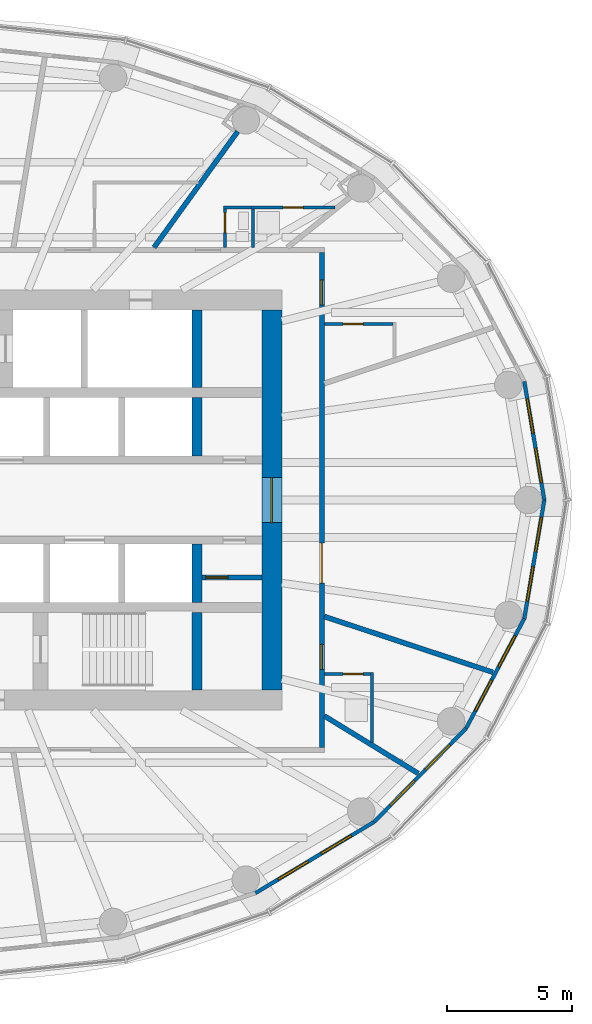
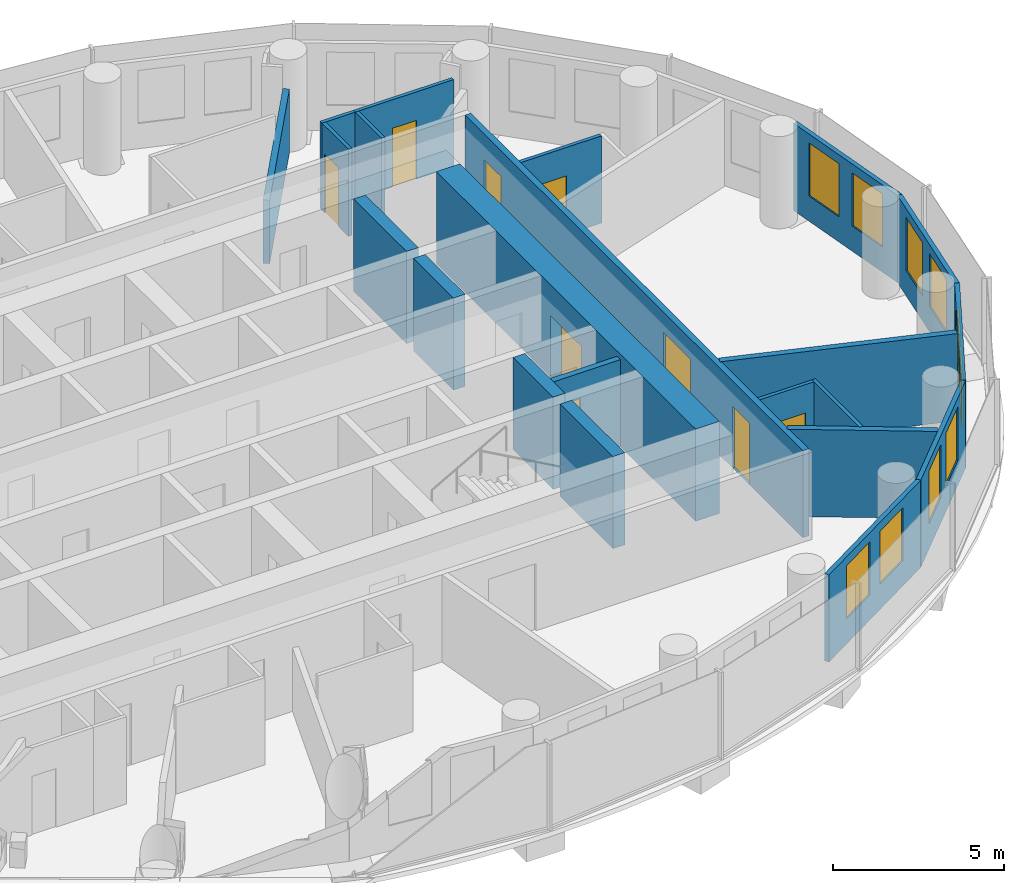
# One storey, part 11 of 16: 22 walls, 10 windows, 9 doors, 19 openings.
"""IFC4 building model written with IfcOpenShell, lengths in metres."""

from ifc_helpers import new_model, si_unit, direction, frame, frame_2d, origin, place, context, subcontext, project, spatial, rectangle, extrude, material, layer, layer_set, type_object, element, fill, save


model = new_model("IFC4")

# Units and contexts
model_context = context("Model", 3, precision=1e-05, world=origin(), true_north=direction((0.0, 1.0)))
body_context = subcontext(model_context, "Body", "Model", "MODEL_VIEW")
ifc_project = project(units=[si_unit("LENGTHUNIT", "METRE"), si_unit("AREAUNIT", "SQUARE_METRE"), si_unit("VOLUMEUNIT", "CUBIC_METRE"), si_unit("PLANEANGLEUNIT", "RADIAN"), si_unit("MASSUNIT", "GRAM", prefix="KILO")], contexts=[model_context])

# Site, building, storey
site_placement = place(None, origin())
site = spatial("IfcSite", under=ifc_project, at=site_placement, CompositionType="ELEMENT")
building_placement = place(site_placement, origin())
building = spatial("IfcBuilding", under=site, at=building_placement, Name="Hankou Lantern Tower", CompositionType="ELEMENT")
storey_placement = place(building_placement, frame((0.0, 0.0, 143.39990234375)))
storey = spatial("IfcBuildingStorey", under=building, at=storey_placement, Name="L37", CompositionType="ELEMENT", Elevation=143.39990234375)

# Wall, opening, door
ifc_material_1 = material(Name="Concrete C60", Category="concrete")
ifc_layer_1 = layer(ifc_material_1, 0.800048828125)
ifc_layer_set_1 = layer_set([ifc_layer_1], Name="Concrete C60")
wall_type_1 = type_object("IfcWallType", Name="CW2 CORE WALL 800", PredefinedType="SHEAR", material=ifc_layer_set_1)
wall_1_placement = place(storey_placement, frame((12.0, -7.60009765625, 0.0), z_axis=(0.0, 0.0, 1.0), x_axis=(0.0, 1.0, 0.0)))
wall_1 = element("IfcWall", 1, at=wall_1_placement, inside=storey, type_object=wall_type_1, Name="Core wall east L37", PredefinedType="SHEAR", context=body_context, shape_type="SweptSolid", body=[
    extrude(rectangle(XDim=15.2001953125, YDim=0.800048828125, at=frame_2d((7.60009765625, 0.0))), origin(), (0.0, 0.0, 1.0), 3.300048828125),
])
opening_1_placement = place(wall_1_placement, frame((6.699951171875, 0.0, 0.0)))
opening_1 = element("IfcOpeningElement", 2, at=opening_1_placement, cuts=wall_1, Name="Opening D6", PredefinedType="OPENING", context=body_context, shape_type="SweptSolid", body=[
    extrude(rectangle(XDim=1.800048828125, YDim=2.199951171875, at=frame_2d((0.89990234375, 1.10009765625))), frame((0.0, 0.409912109375, 0.0), z_axis=(0.0, -1.0, 0.0), x_axis=(1.0, 0.0, 0.0)), (0.0, 0.0, 1.0), 0.820068359375),
])
ifc_material_2 = material(Name="Steel door leaf", Category="steel")
door_type_1 = type_object("IfcDoorType", Name="D6 LIFT LOBBY DOOR 1800X2200", OperationType="DOUBLE_DOOR_DOUBLE_SWING", PredefinedType="DOOR", material=ifc_material_2)
door_1_placement = place(opening_1_placement, origin())
door_1 = element("IfcDoor", 3, at=door_1_placement, inside=storey, type_object=door_type_1, Name="Lift lobby east door", OperationType="DOUBLE_DOOR_DOUBLE_SWING", OverallHeight=2.199951171875, OverallWidth=1.800048828125, PredefinedType="DOOR", context=body_context, shape_type="SweptSolid", body=[
    extrude(rectangle(XDim=1.800048828125, YDim=2.199951171875, at=frame_2d((0.89990234375, 1.10009765625))), frame((0.0, 0.02490234375, 0.0), z_axis=(0.0, -1.0, 0.0), x_axis=(1.0, 0.0, 0.0)), (0.0, 0.0, 1.0), 0.050048828125),
])
fill(opening_1, door_1)

# Walls
ifc_material_3 = material(Name="Concrete C60", Category="concrete")
ifc_layer_2 = layer(ifc_material_3, 0.39990234375)
ifc_layer_set_2 = layer_set([ifc_layer_2], Name="Concrete C60")
wall_type_2 = type_object("IfcWallType", Name="CW4 CORE CROSS WALL 400", PredefinedType="SHEAR", material=ifc_layer_set_2)
wall_2_placement = place(storey_placement, frame((9.0, 4.5, 0.0), z_axis=(0.0, 0.0, 1.0), x_axis=(0.0, 1.0, 0.0)))
element("IfcWall", 4, at=wall_2_placement, inside=storey, type_object=wall_type_2, Name="Core strip wall L37", PredefinedType="SHEAR", context=body_context, shape_type="SweptSolid", body=[
    extrude(rectangle(XDim=3.10009765625, YDim=0.39990234375, at=frame_2d((1.550048828125, 0.0))), origin(), (0.0, 0.0, 1.0), 3.300048828125),
])
for number, where, z_axis, x_axis, name in (
    (5, (9.0, 1.75, 0.0), (0.0, 0.0, 1.0), (0.0, 1.0, 0.0), "Core strip wall L37"),
    (6, (9.0, -4.10009765625, 0.0), (0.0, 0.0, 1.0), (0.0, 1.0, 0.0), "Core strip wall L37"),
):
    element("IfcWall", number, at=place(storey_placement, frame(where, z_axis=z_axis, x_axis=x_axis)), inside=storey, type_object=wall_type_2, Name=name, PredefinedType="SHEAR", context=body_context, shape_type="SweptSolid", body=[
        extrude(rectangle(XDim=2.35009765625, YDim=0.39990234375, at=frame_2d((1.175048828125, 0.0))), origin(), (0.0, 0.0, 1.0), 3.300048828125),
    ])
wall_3_placement = place(storey_placement, frame((9.0, -7.60009765625, 0.0), z_axis=(0.0, 0.0, 1.0), x_axis=(0.0, 1.0, 0.0)))
element("IfcWall", 7, at=wall_3_placement, inside=storey, type_object=wall_type_2, Name="Core strip wall L37", PredefinedType="SHEAR", context=body_context, shape_type="SweptSolid", body=[
    extrude(rectangle(XDim=3.10009765625, YDim=0.39990234375, at=frame_2d((1.550048828125, 0.0))), origin(), (0.0, 0.0, 1.0), 3.300048828125),
])

# Wall, openings, windows
ifc_material_4 = material(Name="Aluminium spandrel panel on steel studs", Category="steel")
ifc_layer_3 = layer(ifc_material_4, 0.14990234375)
ifc_layer_set_3 = layer_set([ifc_layer_3], Name="Aluminium spandrel panel on steel studs")
wall_type_3 = type_object("IfcWallType", Name="EW1 INNER SKIN WALL 150", PredefinedType="ELEMENTEDWALL", material=ifc_layer_set_3)
wall_4_placement = place(storey_placement, frame((22.89990234375, 0.0, 0.0), z_axis=(0.0, 0.0, 1.0), x_axis=(-0.166162111254, 0.986098449843, 0.0)))
wall_4 = element("IfcWall", 8, at=wall_4_placement, inside=storey, type_object=wall_type_3, Name="Inner skin R01-R02 L37", PredefinedType="ELEMENTEDWALL", context=body_context, shape_type="SweptSolid", body=[
    extrude(rectangle(XDim=4.8046875, YDim=0.14990234375, at=frame_2d((2.40234375, 0.0))), origin(), (0.0, 0.0, 1.0), 3.1201171875),
])
opening_2_placement = place(wall_4_placement, frame((0.7021484375, 0.0, 0.89990234375)))
opening_2 = element("IfcOpeningElement", 9, at=opening_2_placement, cuts=wall_4, Name="Opening W3", PredefinedType="OPENING", context=body_context, shape_type="SweptSolid", body=[
    extrude(rectangle(XDim=1.39990234375, YDim=1.89990234375, at=frame_2d((0.699951171875, 0.949951171875))), frame((0.0, 0.0849609375, 0.0), z_axis=(0.0, -1.0, 0.0), x_axis=(1.0, 0.0, 0.0)), (0.0, 0.0, 1.0), 0.169921875),
])
opening_3_placement = place(wall_4_placement, frame((2.7021484375, 0.0, 0.89990234375)))
opening_3 = element("IfcOpeningElement", 10, at=opening_3_placement, cuts=wall_4, Name="Opening W3", PredefinedType="OPENING", context=body_context, shape_type="SweptSolid", body=[
    extrude(rectangle(XDim=1.39990234375, YDim=1.89990234375, at=frame_2d((0.699951171875, 0.949951171875))), frame((0.0, 0.0849609375, 0.0), z_axis=(0.0, -1.0, 0.0), x_axis=(1.0, 0.0, 0.0)), (0.0, 0.0, 1.0), 0.169921875),
])
ifc_material_5 = material(Name="Aluminium framed double glazed window", Category="aluminium")
window_type = type_object("IfcWindowType", Name="W3 GUEST ROOM WINDOW 1400X1900", PartitioningType="DOUBLE_PANEL_VERTICAL", PredefinedType="WINDOW", material=ifc_material_5)
window_1_placement = place(opening_2_placement, origin())
window_1 = element("IfcWindow", 11, at=window_1_placement, inside=storey, type_object=window_type, Name="Window R01.1 L37", OverallHeight=1.89990234375, OverallWidth=1.39990234375, PartitioningType="SINGLE_PANEL", PredefinedType="WINDOW", context=body_context, shape_type="SweptSolid", body=[
    extrude(rectangle(XDim=1.39990234375, YDim=1.89990234375, at=frame_2d((0.699951171875, 0.949951171875))), frame((0.0, 0.030029296875, 0.0), z_axis=(0.0, -1.0, 0.0), x_axis=(1.0, 0.0, 0.0)), (0.0, 0.0, 1.0), 0.06005859375),
])
fill(opening_2, window_1)
window_2_placement = place(opening_3_placement, origin())
window_2 = element("IfcWindow", 12, at=window_2_placement, inside=storey, type_object=window_type, Name="Window R01.2 L37", OverallHeight=1.89990234375, OverallWidth=1.39990234375, PartitioningType="SINGLE_PANEL", PredefinedType="WINDOW", context=body_context, shape_type="SweptSolid", body=[
    extrude(rectangle(XDim=1.39990234375, YDim=1.89990234375, at=frame_2d((0.699951171875, 0.949951171875))), frame((0.0, 0.030029296875, 0.0), z_axis=(0.0, -1.0, 0.0), x_axis=(1.0, 0.0, 0.0)), (0.0, 0.0, 1.0), 0.06005859375),
])
fill(opening_3, window_2)

wall_5_placement = place(storey_placement, frame((11.346435546875, -15.72216796875, 0.0), z_axis=(0.0, 0.0, 1.0), x_axis=(0.857695199231, 0.514158482587, 0.0)))
wall_5 = element("IfcWall", 13, at=wall_5_placement, inside=storey, type_object=wall_type_3, Name="Inner skin R21-R22 L37", PredefinedType="ELEMENTEDWALL", context=body_context, shape_type="SweptSolid", body=[
    extrude(rectangle(XDim=5.5361328125, YDim=0.14990234375, at=frame_2d((2.76806640625, 0.0))), origin(), (0.0, 0.0, 1.0), 3.1201171875),
])
opening_4_placement = place(wall_5_placement, frame((1.068115234375, 0.0, 0.89990234375)))
opening_4 = element("IfcOpeningElement", 14, at=opening_4_placement, cuts=wall_5, Name="Opening W3", PredefinedType="OPENING", context=body_context, shape_type="SweptSolid", body=[
    extrude(rectangle(XDim=1.39990234375, YDim=1.89990234375, at=frame_2d((0.699951171875, 0.949951171875))), frame((0.0, 0.0849609375, 0.0), z_axis=(0.0, -1.0, 0.0), x_axis=(1.0, 0.0, 0.0)), (0.0, 0.0, 1.0), 0.169921875),
])
opening_5_placement = place(wall_5_placement, frame((3.068115234375, 0.0, 0.89990234375)))
opening_5 = element("IfcOpeningElement", 15, at=opening_5_placement, cuts=wall_5, Name="Opening W3", PredefinedType="OPENING", context=body_context, shape_type="SweptSolid", body=[
    extrude(rectangle(XDim=1.39990234375, YDim=1.89990234375, at=frame_2d((0.699951171875, 0.949951171875))), frame((0.0, 0.0849609375, 0.0), z_axis=(0.0, -1.0, 0.0), x_axis=(1.0, 0.0, 0.0)), (0.0, 0.0, 1.0), 0.169921875),
])
window_3_placement = place(opening_4_placement, origin())
window_3 = element("IfcWindow", 16, at=window_3_placement, inside=storey, type_object=window_type, Name="Window R21.1 L37", OverallHeight=1.89990234375, OverallWidth=1.39990234375, PartitioningType="SINGLE_PANEL", PredefinedType="WINDOW", context=body_context, shape_type="SweptSolid", body=[
    extrude(rectangle(XDim=1.39990234375, YDim=1.89990234375, at=frame_2d((0.699951171875, 0.949951171875))), frame((0.0, 0.030029296875, 0.0), z_axis=(0.0, -1.0, 0.0), x_axis=(1.0, 0.0, 0.0)), (0.0, 0.0, 1.0), 0.06005859375),
])
fill(opening_4, window_3)
window_4_placement = place(opening_5_placement, origin())
window_4 = element("IfcWindow", 17, at=window_4_placement, inside=storey, type_object=window_type, Name="Window R21.2 L37", OverallHeight=1.89990234375, OverallWidth=1.39990234375, PartitioningType="SINGLE_PANEL", PredefinedType="WINDOW", context=body_context, shape_type="SweptSolid", body=[
    extrude(rectangle(XDim=1.39990234375, YDim=1.89990234375, at=frame_2d((0.699951171875, 0.949951171875))), frame((0.0, 0.030029296875, 0.0), z_axis=(0.0, -1.0, 0.0), x_axis=(1.0, 0.0, 0.0)), (0.0, 0.0, 1.0), 0.06005859375),
])
fill(opening_5, window_4)

wall_6_placement = place(storey_placement, frame((16.0947265625, -12.875732421875, 0.0), z_axis=(0.0, 0.0, 1.0), x_axis=(0.700727467776, 0.71342905457, 0.0)))
wall_6 = element("IfcWall", 18, at=wall_6_placement, inside=storey, type_object=wall_type_3, Name="Inner skin R22-R23 L37", PredefinedType="ELEMENTEDWALL", context=body_context, shape_type="SweptSolid", body=[
    extrude(rectangle(XDim=5.247314453125, YDim=0.14990234375, at=frame_2d((2.62353515625, 0.0))), origin(), (0.0, 0.0, 1.0), 3.1201171875),
])
opening_6_placement = place(wall_6_placement, frame((0.923583984375, 0.0, 0.89990234375)))
opening_6 = element("IfcOpeningElement", 19, at=opening_6_placement, cuts=wall_6, Name="Opening W3", PredefinedType="OPENING", context=body_context, shape_type="SweptSolid", body=[
    extrude(rectangle(XDim=1.39990234375, YDim=1.89990234375, at=frame_2d((0.699951171875, 0.949951171875))), frame((0.0, 0.0849609375, 0.0), z_axis=(0.0, -1.0, 0.0), x_axis=(1.0, 0.0, 0.0)), (0.0, 0.0, 1.0), 0.169921875),
])
opening_7_placement = place(wall_6_placement, frame((2.923583984375, 0.0, 0.89990234375)))
opening_7 = element("IfcOpeningElement", 20, at=opening_7_placement, cuts=wall_6, Name="Opening W3", PredefinedType="OPENING", context=body_context, shape_type="SweptSolid", body=[
    extrude(rectangle(XDim=1.39990234375, YDim=1.89990234375, at=frame_2d((0.699951171875, 0.949951171875))), frame((0.0, 0.0849609375, 0.0), z_axis=(0.0, -1.0, 0.0), x_axis=(1.0, 0.0, 0.0)), (0.0, 0.0, 1.0), 0.169921875),
])
window_5_placement = place(opening_6_placement, origin())
window_5 = element("IfcWindow", 21, at=window_5_placement, inside=storey, type_object=window_type, Name="Window R22.1 L37", OverallHeight=1.89990234375, OverallWidth=1.39990234375, PartitioningType="SINGLE_PANEL", PredefinedType="WINDOW", context=body_context, shape_type="SweptSolid", body=[
    extrude(rectangle(XDim=1.39990234375, YDim=1.89990234375, at=frame_2d((0.699951171875, 0.949951171875))), frame((0.0, 0.030029296875, 0.0), z_axis=(0.0, -1.0, 0.0), x_axis=(1.0, 0.0, 0.0)), (0.0, 0.0, 1.0), 0.06005859375),
])
fill(opening_6, window_5)
window_6_placement = place(opening_7_placement, origin())
window_6 = element("IfcWindow", 22, at=window_6_placement, inside=storey, type_object=window_type, Name="Window R22.2 L37", OverallHeight=1.89990234375, OverallWidth=1.39990234375, PartitioningType="SINGLE_PANEL", PredefinedType="WINDOW", context=body_context, shape_type="SweptSolid", body=[
    extrude(rectangle(XDim=1.39990234375, YDim=1.89990234375, at=frame_2d((0.699951171875, 0.949951171875))), frame((0.0, 0.030029296875, 0.0), z_axis=(0.0, -1.0, 0.0), x_axis=(1.0, 0.0, 0.0)), (0.0, 0.0, 1.0), 0.06005859375),
])
fill(opening_7, window_6)

wall_7_placement = place(storey_placement, frame((19.771728515625, -9.132080078125, 0.0), z_axis=(0.0, 0.0, 1.0), x_axis=(0.468428906714, 0.883501193748, 0.0)))
wall_7 = element("IfcWall", 23, at=wall_7_placement, inside=storey, type_object=wall_type_3, Name="Inner skin R23-R24 L37", PredefinedType="ELEMENTEDWALL", context=body_context, shape_type="SweptSolid", body=[
    extrude(rectangle(XDim=4.9736328125, YDim=0.14990234375, at=frame_2d((2.48681640625, 0.0))), origin(), (0.0, 0.0, 1.0), 3.1201171875),
])
opening_8_placement = place(wall_7_placement, frame((0.786865234375, 0.0, 0.89990234375)))
opening_8 = element("IfcOpeningElement", 24, at=opening_8_placement, cuts=wall_7, Name="Opening W3", PredefinedType="OPENING", context=body_context, shape_type="SweptSolid", body=[
    extrude(rectangle(XDim=1.39990234375, YDim=1.89990234375, at=frame_2d((0.699951171875, 0.949951171875))), frame((0.0, 0.0849609375, 0.0), z_axis=(0.0, -1.0, 0.0), x_axis=(1.0, 0.0, 0.0)), (0.0, 0.0, 1.0), 0.169921875),
])
opening_9_placement = place(wall_7_placement, frame((2.786865234375, 0.0, 0.89990234375)))
opening_9 = element("IfcOpeningElement", 25, at=opening_9_placement, cuts=wall_7, Name="Opening W3", PredefinedType="OPENING", context=body_context, shape_type="SweptSolid", body=[
    extrude(rectangle(XDim=1.39990234375, YDim=1.89990234375, at=frame_2d((0.699951171875, 0.949951171875))), frame((0.0, 0.0849609375, 0.0), z_axis=(0.0, -1.0, 0.0), x_axis=(1.0, 0.0, 0.0)), (0.0, 0.0, 1.0), 0.169921875),
])
window_7_placement = place(opening_8_placement, origin())
window_7 = element("IfcWindow", 26, at=window_7_placement, inside=storey, type_object=window_type, Name="Window R23.1 L37", OverallHeight=1.89990234375, OverallWidth=1.39990234375, PartitioningType="SINGLE_PANEL", PredefinedType="WINDOW", context=body_context, shape_type="SweptSolid", body=[
    extrude(rectangle(XDim=1.39990234375, YDim=1.89990234375, at=frame_2d((0.699951171875, 0.949951171875))), frame((0.0, 0.030029296875, 0.0), z_axis=(0.0, -1.0, 0.0), x_axis=(1.0, 0.0, 0.0)), (0.0, 0.0, 1.0), 0.06005859375),
])
fill(opening_8, window_7)
window_8_placement = place(opening_9_placement, origin())
window_8 = element("IfcWindow", 27, at=window_8_placement, inside=storey, type_object=window_type, Name="Window R23.2 L37", OverallHeight=1.89990234375, OverallWidth=1.39990234375, PartitioningType="SINGLE_PANEL", PredefinedType="WINDOW", context=body_context, shape_type="SweptSolid", body=[
    extrude(rectangle(XDim=1.39990234375, YDim=1.89990234375, at=frame_2d((0.699951171875, 0.949951171875))), frame((0.0, 0.030029296875, 0.0), z_axis=(0.0, -1.0, 0.0), x_axis=(1.0, 0.0, 0.0)), (0.0, 0.0, 1.0), 0.06005859375),
])
fill(opening_9, window_8)

wall_8_placement = place(storey_placement, frame((22.1015625, -4.73779296875, 0.0), z_axis=(0.0, 0.0, 1.0), x_axis=(0.166162111254, 0.986098449843, 0.0)))
wall_8 = element("IfcWall", 28, at=wall_8_placement, inside=storey, type_object=wall_type_3, Name="Inner skin R24-R01 L37", PredefinedType="ELEMENTEDWALL", context=body_context, shape_type="SweptSolid", body=[
    extrude(rectangle(XDim=4.8046875, YDim=0.14990234375, at=frame_2d((2.40234375, 0.0))), origin(), (0.0, 0.0, 1.0), 3.1201171875),
])
opening_10_placement = place(wall_8_placement, frame((0.7021484375, 0.0, 0.89990234375)))
opening_10 = element("IfcOpeningElement", 29, at=opening_10_placement, cuts=wall_8, Name="Opening W3", PredefinedType="OPENING", context=body_context, shape_type="SweptSolid", body=[
    extrude(rectangle(XDim=1.39990234375, YDim=1.89990234375, at=frame_2d((0.699951171875, 0.949951171875))), frame((0.0, 0.0849609375, 0.0), z_axis=(0.0, -1.0, 0.0), x_axis=(1.0, 0.0, 0.0)), (0.0, 0.0, 1.0), 0.169921875),
])
opening_11_placement = place(wall_8_placement, frame((2.7021484375, 0.0, 0.89990234375)))
opening_11 = element("IfcOpeningElement", 30, at=opening_11_placement, cuts=wall_8, Name="Opening W3", PredefinedType="OPENING", context=body_context, shape_type="SweptSolid", body=[
    extrude(rectangle(XDim=1.39990234375, YDim=1.89990234375, at=frame_2d((0.699951171875, 0.949951171875))), frame((0.0, 0.0849609375, 0.0), z_axis=(0.0, -1.0, 0.0), x_axis=(1.0, 0.0, 0.0)), (0.0, 0.0, 1.0), 0.169921875),
])
window_9_placement = place(opening_10_placement, origin())
window_9 = element("IfcWindow", 31, at=window_9_placement, inside=storey, type_object=window_type, Name="Window R24.1 L37", OverallHeight=1.89990234375, OverallWidth=1.39990234375, PartitioningType="SINGLE_PANEL", PredefinedType="WINDOW", context=body_context, shape_type="SweptSolid", body=[
    extrude(rectangle(XDim=1.39990234375, YDim=1.89990234375, at=frame_2d((0.699951171875, 0.949951171875))), frame((0.0, 0.030029296875, 0.0), z_axis=(0.0, -1.0, 0.0), x_axis=(1.0, 0.0, 0.0)), (0.0, 0.0, 1.0), 0.06005859375),
])
fill(opening_10, window_9)
window_10_placement = place(opening_11_placement, origin())
window_10 = element("IfcWindow", 32, at=window_10_placement, inside=storey, type_object=window_type, Name="Window R24.2 L37", OverallHeight=1.89990234375, OverallWidth=1.39990234375, PartitioningType="SINGLE_PANEL", PredefinedType="WINDOW", context=body_context, shape_type="SweptSolid", body=[
    extrude(rectangle(XDim=1.39990234375, YDim=1.89990234375, at=frame_2d((0.699951171875, 0.949951171875))), frame((0.0, 0.030029296875, 0.0), z_axis=(0.0, -1.0, 0.0), x_axis=(1.0, 0.0, 0.0)), (0.0, 0.0, 1.0), 0.06005859375),
])
fill(opening_11, window_10)

# Wall, openings, doors
ifc_material_6 = material(Name="Masonry lightweight concrete block", Category="masonry")
ifc_layer_4 = layer(ifc_material_6, 0.199951171875)
ifc_layer_set_4 = layer_set([ifc_layer_4], Name="Masonry lightweight concrete block")
wall_type_4 = type_object("IfcWallType", Name="IW2 CORRIDOR WALL 200", PredefinedType="PARTITIONING", material=ifc_layer_set_4)
wall_9_placement = place(storey_placement, frame((14.0, -9.89990234375, 0.0), z_axis=(0.0, 0.0, 1.0), x_axis=(0.0, 1.0, 0.0)))
wall_9 = element("IfcWall", 33, at=wall_9_placement, inside=storey, type_object=wall_type_4, Name="Corridor wall east", PredefinedType="PARTITIONING", context=body_context, shape_type="SweptSolid", body=[
    extrude(rectangle(XDim=19.7998046875, YDim=0.199951171875, at=frame_2d((9.89990234375, 0.0))), origin(), (0.0, 0.0, 1.0), 3.1201171875),
])
opening_12_placement = place(wall_9_placement, frame((3.123779296875, 0.0, 0.0)))
opening_12 = element("IfcOpeningElement", 34, at=opening_12_placement, cuts=wall_9, Name="Opening D13", PredefinedType="OPENING", context=body_context, shape_type="SweptSolid", body=[
    extrude(rectangle(XDim=1.0, YDim=2.199951171875, at=frame_2d((0.5, 1.10009765625))), frame((0.0, 0.10986328125, 0.0), z_axis=(0.0, -1.0, 0.0), x_axis=(1.0, 0.0, 0.0)), (0.0, 0.0, 1.0), 0.219970703125),
])
opening_13_placement = place(wall_9_placement, frame((6.573974609375, 0.0, 0.0)))
opening_13 = element("IfcOpeningElement", 35, at=opening_13_placement, cuts=wall_9, Name="Opening D29", PredefinedType="OPENING", context=body_context, shape_type="SweptSolid", body=[
    extrude(rectangle(XDim=1.60009765625, YDim=2.39990234375, at=frame_2d((0.800048828125, 1.199951171875))), frame((0.0, 0.10986328125, 0.0), z_axis=(0.0, -1.0, 0.0), x_axis=(1.0, 0.0, 0.0)), (0.0, 0.0, 1.0), 0.219970703125),
])
opening_14_placement = place(wall_9_placement, frame((17.701416015625, 0.0, 0.0)))
opening_14 = element("IfcOpeningElement", 36, at=opening_14_placement, cuts=wall_9, Name="Opening D1", PredefinedType="OPENING", context=body_context, shape_type="SweptSolid", body=[
    extrude(rectangle(XDim=1.0, YDim=2.199951171875, at=frame_2d((0.5, 1.10009765625))), frame((0.0, 0.10986328125, 0.0), z_axis=(0.0, -1.0, 0.0), x_axis=(1.0, 0.0, 0.0)), (0.0, 0.0, 1.0), 0.219970703125),
])
ifc_material_7 = material(Name="Steel door leaf", Category="steel")
door_type_2 = type_object("IfcDoorType", Name="D1 GUEST ROOM DOOR 1000X2200", OperationType="SINGLE_SWING_LEFT", PredefinedType="DOOR", material=ifc_material_7)
door_2_placement = place(opening_14_placement, origin())
door_2 = element("IfcDoor", 37, at=door_2_placement, inside=storey, type_object=door_type_2, Name="Guest room door 3711", OperationType="SINGLE_SWING_RIGHT", OverallHeight=2.199951171875, OverallWidth=1.0, PredefinedType="DOOR", context=body_context, shape_type="SweptSolid", body=[
    extrude(rectangle(XDim=1.0, YDim=2.199951171875, at=frame_2d((0.5, 1.10009765625))), frame((0.0, 0.02490234375, 0.0), z_axis=(0.0, -1.0, 0.0), x_axis=(1.0, 0.0, 0.0)), (0.0, 0.0, 1.0), 0.050048828125),
])
fill(opening_14, door_2)
ifc_material_8 = material(Name="Timber door leaf", Category="wood")
door_type_3 = type_object("IfcDoorType", Name="D13 ROOM DOOR 1000X2200", OperationType="SINGLE_SWING_LEFT", PredefinedType="DOOR", material=ifc_material_8)
door_3_placement = place(opening_12_placement, origin())
door_3 = element("IfcDoor", 38, at=door_3_placement, inside=storey, type_object=door_type_3, Name="Room door 3709", OperationType="SINGLE_SWING_LEFT", OverallHeight=2.199951171875, OverallWidth=1.0, PredefinedType="DOOR", context=body_context, shape_type="SweptSolid", body=[
    extrude(rectangle(XDim=1.0, YDim=2.199951171875, at=frame_2d((0.5, 1.10009765625))), frame((0.0, 0.02490234375, 0.0), z_axis=(0.0, -1.0, 0.0), x_axis=(1.0, 0.0, 0.0)), (0.0, 0.0, 1.0), 0.050048828125),
])
fill(opening_12, door_3)
ifc_material_9 = material(Name="Steel door leaf", Category="steel")
door_type_4 = type_object("IfcDoorType", Name="D29 LOUNGE DOUBLE DOOR 1600X2400", OperationType="DOUBLE_DOOR_DOUBLE_SWING", PredefinedType="DOOR", material=ifc_material_9)
door_4_placement = place(opening_13_placement, origin())
door_4 = element("IfcDoor", 39, at=door_4_placement, inside=storey, type_object=door_type_4, Name="Lounge door 3710", OperationType="DOUBLE_DOOR_DOUBLE_SWING", OverallHeight=2.39990234375, OverallWidth=1.60009765625, PredefinedType="DOOR", context=body_context, shape_type="SweptSolid", body=[
    extrude(rectangle(XDim=1.60009765625, YDim=2.39990234375, at=frame_2d((0.800048828125, 1.199951171875))), frame((0.0, 0.02490234375, 0.0), z_axis=(0.0, -1.0, 0.0), x_axis=(1.0, 0.0, 0.0)), (0.0, 0.0, 1.0), 0.050048828125),
])
fill(opening_13, door_4)

# Wall
ifc_material_10 = material(Name="Masonry lightweight concrete block", Category="masonry")
ifc_layer_5 = layer(ifc_material_10, 0.1201171875)
ifc_layer_set_5 = layer_set([ifc_layer_5], Name="Masonry lightweight concrete block")
wall_type_5 = type_object("IfcWallType", Name="IW3 BATHROOM WALL 120", PredefinedType="PARTITIONING", material=ifc_layer_set_5)
wall_10_placement = place(storey_placement, frame((16.0, -9.7001953125, 0.0), z_axis=(0.0, 0.0, 1.0), x_axis=(0.0, 1.0, 0.0)))
element("IfcWall", 40, at=wall_10_placement, inside=storey, type_object=wall_type_5, Name="Box wall 3709 1", PredefinedType="PARTITIONING", context=body_context, shape_type="SweptSolid", body=[
    extrude(rectangle(XDim=2.803955078125, YDim=0.1201171875, at=frame_2d((1.40185546875, 0.0))), origin(), (0.0, 0.0, 1.0), 3.1201171875),
])

# Wall, opening, door
wall_11_placement = place(storey_placement, frame((14.10009765625, -6.956298828125, 0.0), z_axis=(0.0, 0.0, 1.0), x_axis=(1.0, 0.0, 0.0)))
wall_11 = element("IfcWall", 41, at=wall_11_placement, inside=storey, type_object=wall_type_5, Name="Box wall 3709 1", PredefinedType="PARTITIONING", context=body_context, shape_type="SweptSolid", body=[
    extrude(rectangle(XDim=1.83984375, YDim=0.1201171875, at=frame_2d((0.919921875, 0.0))), origin(), (0.0, 0.0, 1.0), 3.1201171875),
])
opening_15_placement = place(wall_11_placement, frame((0.75, 0.0, 0.0)))
opening_15 = element("IfcOpeningElement", 42, at=opening_15_placement, cuts=wall_11, Name="Opening D3", PredefinedType="OPENING", context=body_context, shape_type="SweptSolid", body=[
    extrude(rectangle(XDim=0.800048828125, YDim=2.10009765625, at=frame_2d((0.39990234375, 1.050048828125))), frame((0.0, 0.070068359375, 0.0), z_axis=(0.0, -1.0, 0.0), x_axis=(1.0, 0.0, 0.0)), (0.0, 0.0, 1.0), 0.14013671875),
])
ifc_material_11 = material(Name="Timber door leaf", Category="wood")
door_type_5 = type_object("IfcDoorType", Name="D3 BATHROOM DOOR 800X2100", OperationType="SINGLE_SWING_LEFT", PredefinedType="DOOR", material=ifc_material_11)
door_5_placement = place(opening_15_placement, origin())
door_5 = element("IfcDoor", 43, at=door_5_placement, inside=storey, type_object=door_type_5, Name="Spa treatment room 3709 shower room door", OperationType="SINGLE_SWING_LEFT", OverallHeight=2.10009765625, OverallWidth=0.800048828125, PredefinedType="DOOR", context=body_context, shape_type="SweptSolid", body=[
    extrude(rectangle(XDim=0.800048828125, YDim=2.10009765625, at=frame_2d((0.39990234375, 1.050048828125))), frame((0.0, 0.02490234375, 0.0), z_axis=(0.0, -1.0, 0.0), x_axis=(1.0, 0.0, 0.0)), (0.0, 0.0, 1.0), 0.050048828125),
])
fill(opening_15, door_5)

wall_12_placement = place(storey_placement, frame((14.10009765625, 7.04150390625, 0.0), z_axis=(0.0, 0.0, 1.0), x_axis=(1.0, 0.0, 0.0)))
wall_12 = element("IfcWall", 44, at=wall_12_placement, inside=storey, type_object=wall_type_5, Name="Box wall 3711 1", PredefinedType="PARTITIONING", context=body_context, shape_type="SweptSolid", body=[
    extrude(rectangle(XDim=2.739990234375, YDim=0.1201171875, at=frame_2d((1.3701171875, 0.0))), origin(), (0.0, 0.0, 1.0), 3.1201171875),
])
opening_16_placement = place(wall_12_placement, frame((0.75, 0.0, 0.0)))
opening_16 = element("IfcOpeningElement", 45, at=opening_16_placement, cuts=wall_12, Name="Opening D3", PredefinedType="OPENING", context=body_context, shape_type="SweptSolid", body=[
    extrude(rectangle(XDim=0.800048828125, YDim=2.10009765625, at=frame_2d((0.39990234375, 1.050048828125))), frame((0.0, 0.070068359375, 0.0), z_axis=(0.0, -1.0, 0.0), x_axis=(1.0, 0.0, 0.0)), (0.0, 0.0, 1.0), 0.14013671875),
])
door_6_placement = place(opening_16_placement, origin())
door_6 = element("IfcDoor", 46, at=door_6_placement, inside=storey, type_object=door_type_5, Name="En-suite bathroom 3711 door", OperationType="SINGLE_SWING_LEFT", OverallHeight=2.10009765625, OverallWidth=0.800048828125, PredefinedType="DOOR", context=body_context, shape_type="SweptSolid", body=[
    extrude(rectangle(XDim=0.800048828125, YDim=2.10009765625, at=frame_2d((0.39990234375, 1.050048828125))), frame((0.0, 0.02490234375, 0.0), z_axis=(0.0, -1.0, 0.0), x_axis=(1.0, 0.0, 0.0)), (0.0, 0.0, 1.0), 0.050048828125),
])
fill(opening_16, door_6)

wall_13_placement = place(storey_placement, frame((14.52490234375, 11.699951171875, 0.0), z_axis=(0.0, 0.0, 1.0), x_axis=(-1.0, 0.0, 0.0)))
wall_13 = element("IfcWall", 47, at=wall_13_placement, inside=storey, type_object=wall_type_5, Name="Box wall 3712 1", PredefinedType="PARTITIONING", context=body_context, shape_type="SweptSolid", body=[
    extrude(rectangle(XDim=3.33984375, YDim=0.1201171875, at=frame_2d((1.669921875, 0.0))), origin(), (0.0, 0.0, 1.0), 3.1201171875),
])
opening_17_placement = place(wall_13_placement, frame((1.27001953125, 0.0, 0.0)))
opening_17 = element("IfcOpeningElement", 48, at=opening_17_placement, cuts=wall_13, Name="Opening D3", PredefinedType="OPENING", context=body_context, shape_type="SweptSolid", body=[
    extrude(rectangle(XDim=0.800048828125, YDim=2.10009765625, at=frame_2d((0.39990234375, 1.050048828125))), frame((0.0, 0.070068359375, 0.0), z_axis=(0.0, -1.0, 0.0), x_axis=(1.0, 0.0, 0.0)), (0.0, 0.0, 1.0), 0.14013671875),
])
door_7_placement = place(opening_17_placement, origin())
door_7 = element("IfcDoor", 49, at=door_7_placement, inside=storey, type_object=door_type_5, Name="Spa changing room men 3712 shower door", OperationType="SINGLE_SWING_RIGHT", OverallHeight=2.10009765625, OverallWidth=0.800048828125, PredefinedType="DOOR", context=body_context, shape_type="SweptSolid", body=[
    extrude(rectangle(XDim=0.800048828125, YDim=2.10009765625, at=frame_2d((0.39990234375, 1.050048828125))), frame((0.0, 0.02490234375, 0.0), z_axis=(0.0, -1.0, 0.0), x_axis=(1.0, 0.0, 0.0)), (0.0, 0.0, 1.0), 0.050048828125),
])
fill(opening_17, door_7)

# Walls
wall_14_placement = place(storey_placement, frame((11.2451171875, 10.10009765625, 0.0), z_axis=(0.0, 0.0, 1.0), x_axis=(0.0, 1.0, 0.0)))
element("IfcWall", 50, at=wall_14_placement, inside=storey, type_object=wall_type_5, Name="Box wall 3712 1", PredefinedType="PARTITIONING", context=body_context, shape_type="SweptSolid", body=[
    extrude(rectangle(XDim=1.539794921875, YDim=0.1201171875, at=frame_2d((0.77001953125, 0.0))), origin(), (0.0, 0.0, 1.0), 3.1201171875),
])
wall_15_placement = place(storey_placement, frame((11.18505859375, 11.699951171875, 0.0), z_axis=(0.0, 0.0, 1.0), x_axis=(-1.0, 0.0, 0.0)))
element("IfcWall", 51, at=wall_15_placement, inside=storey, type_object=wall_type_5, Name="Box wall 3712 2", PredefinedType="PARTITIONING", context=body_context, shape_type="SweptSolid", body=[
    extrude(rectangle(XDim=1.1201171875, YDim=0.1201171875, at=frame_2d((0.56005859375, 0.0))), origin(), (0.0, 0.0, 1.0), 3.1201171875),
])

# Wall, opening, door
wall_16_placement = place(storey_placement, frame((10.125, 10.10009765625, 0.0), z_axis=(0.0, 0.0, 1.0), x_axis=(0.0, 1.0, 0.0)))
wall_16 = element("IfcWall", 52, at=wall_16_placement, inside=storey, type_object=wall_type_5, Name="Box wall 3712 2", PredefinedType="PARTITIONING", context=body_context, shape_type="SweptSolid", body=[
    extrude(rectangle(XDim=1.539794921875, YDim=0.1201171875, at=frame_2d((0.77001953125, 0.0))), origin(), (0.0, 0.0, 1.0), 3.1201171875),
])
opening_18_placement = place(wall_16_placement, frame((0.590087890625, 0.0, 0.0)))
opening_18 = element("IfcOpeningElement", 53, at=opening_18_placement, cuts=wall_16, Name="Opening D3", PredefinedType="OPENING", context=body_context, shape_type="SweptSolid", body=[
    extrude(rectangle(XDim=0.800048828125, YDim=2.10009765625, at=frame_2d((0.39990234375, 1.050048828125))), frame((0.0, 0.070068359375, 0.0), z_axis=(0.0, -1.0, 0.0), x_axis=(1.0, 0.0, 0.0)), (0.0, 0.0, 1.0), 0.14013671875),
])
door_8_placement = place(opening_18_placement, origin())
door_8 = element("IfcDoor", 54, at=door_8_placement, inside=storey, type_object=door_type_5, Name="Spa changing room men 3712 WC door", OperationType="SINGLE_SWING_LEFT", OverallHeight=2.10009765625, OverallWidth=0.800048828125, PredefinedType="DOOR", context=body_context, shape_type="SweptSolid", body=[
    extrude(rectangle(XDim=0.800048828125, YDim=2.10009765625, at=frame_2d((0.39990234375, 1.050048828125))), frame((0.0, 0.02490234375, 0.0), z_axis=(0.0, -1.0, 0.0), x_axis=(1.0, 0.0, 0.0)), (0.0, 0.0, 1.0), 0.050048828125),
])
fill(opening_18, door_8)

# Walls
ifc_material_12 = material(Name="Masonry lightweight concrete block", Category="masonry")
ifc_layer_6 = layer(ifc_material_12, 0.199951171875)
ifc_layer_set_6 = layer_set([ifc_layer_6], Name="Masonry lightweight concrete block")
wall_type_6 = type_object("IfcWallType", Name="IW8 PARTITION 200", PredefinedType="PARTITIONING", material=ifc_layer_set_6)
wall_17_placement = place(storey_placement, frame((7.2890625, 10.10009765625, 0.0), z_axis=(0.0, 0.0, 1.0), x_axis=(0.585222595178, 0.810872686735, 0.0)))
element("IfcWall", 55, at=wall_17_placement, inside=storey, type_object=wall_type_6, Name="Partition R05", PredefinedType="PARTITIONING", context=body_context, shape_type="SweptSolid", body=[
    extrude(rectangle(XDim=5.722412109375, YDim=0.199951171875, at=frame_2d((2.861328125, 0.0))), origin(), (0.0, 0.0, 1.0), 2.27001953125),
])
wall_18_placement = place(storey_placement, frame((14.10009765625, -8.63623046875, 0.0), z_axis=(0.0, 0.0, 1.0), x_axis=(0.852731884196, -0.522348862041, 0.0)))
element("IfcWall", 56, at=wall_18_placement, inside=storey, type_object=wall_type_6, Name="Partition R22-R23", PredefinedType="PARTITIONING", context=body_context, shape_type="SweptSolid", body=[
    extrude(rectangle(XDim=4.404296875, YDim=0.199951171875, at=frame_2d((2.2021484375, 0.0))), origin(), (0.0, 0.0, 1.0), 3.1201171875),
])
wall_19_placement = place(storey_placement, frame((14.10009765625, -4.661376953125, 0.0), z_axis=(0.0, 0.0, 1.0), x_axis=(0.949453216399, -0.313908569285, 0.0)))
element("IfcWall", 57, at=wall_19_placement, inside=storey, type_object=wall_type_6, Name="Partition R23-R24", PredefinedType="PARTITIONING", context=body_context, shape_type="SweptSolid", body=[
    extrude(rectangle(XDim=7.108642578125, YDim=0.199951171875, at=frame_2d((3.55419921875, 0.0))), origin(), (0.0, 0.0, 1.0), 3.1201171875),
])

# Wall, opening, door
wall_20_placement = place(storey_placement, frame((9.199951171875, -3.10009765625, 0.0), z_axis=(0.0, 0.0, 1.0), x_axis=(1.0, 0.0, 0.0)))
wall_20 = element("IfcWall", 58, at=wall_20_placement, inside=storey, type_object=wall_type_6, Name="Partition cleaner's store", PredefinedType="PARTITIONING", context=body_context, shape_type="SweptSolid", body=[
    extrude(rectangle(XDim=2.400146484375, YDim=0.199951171875, at=frame_2d((1.2001953125, 0.0))), origin(), (0.0, 0.0, 1.0), 3.1201171875),
])
opening_19_placement = place(wall_20_placement, frame((0.14990234375, 0.0, 0.0)))
opening_19 = element("IfcOpeningElement", 59, at=opening_19_placement, cuts=wall_20, Name="Opening D12", PredefinedType="OPENING", context=body_context, shape_type="SweptSolid", body=[
    extrude(rectangle(XDim=0.89990234375, YDim=2.199951171875, at=frame_2d((0.449951171875, 1.10009765625))), frame((0.0, 0.10986328125, 0.0), z_axis=(0.0, -1.0, 0.0), x_axis=(1.0, 0.0, 0.0)), (0.0, 0.0, 1.0), 0.219970703125),
])
ifc_material_13 = material(Name="Steel door leaf", Category="steel")
door_type_6 = type_object("IfcDoorType", Name="D12 STORE DOOR 900X2200", OperationType="SINGLE_SWING_LEFT", PredefinedType="DOOR", material=ifc_material_13)
door_9_placement = place(opening_19_placement, origin())
door_9 = element("IfcDoor", 60, at=door_9_placement, inside=storey, type_object=door_type_6, Name="Cleaning materials cupboard door", OperationType="SINGLE_SWING_LEFT", OverallHeight=2.199951171875, OverallWidth=0.89990234375, PredefinedType="DOOR", context=body_context, shape_type="SweptSolid", body=[
    extrude(rectangle(XDim=0.89990234375, YDim=2.199951171875, at=frame_2d((0.449951171875, 1.10009765625))), frame((0.0, 0.02490234375, 0.0), z_axis=(0.0, -1.0, 0.0), x_axis=(1.0, 0.0, 0.0)), (0.0, 0.0, 1.0), 0.050048828125),
])
fill(opening_19, door_9)

save(model, "model.ifc")
